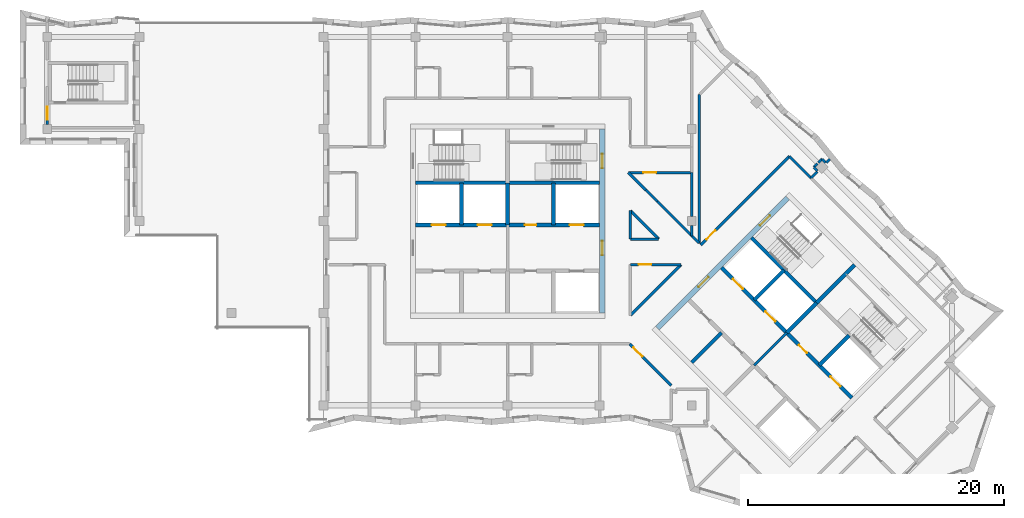
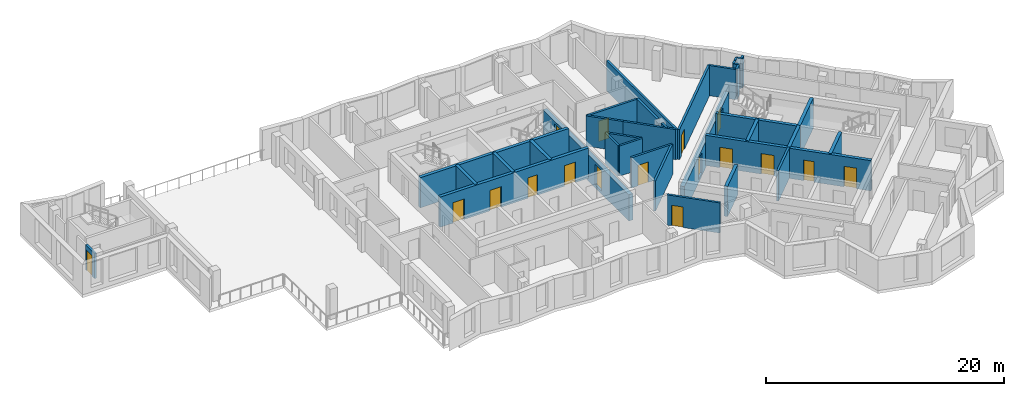
# One storey, part 4 of 12: 38 walls, 17 doors, 17 openings.
"""IFC4 building model written with IfcOpenShell, lengths in metres."""

from ifc_helpers import new_model, si_unit, direction, frame, frame_2d, origin, place, context, subcontext, project, spatial, rectangle, extrude, material, layer, layer_set, type_object, element, fill, save


model = new_model("IFC4")

# Units and contexts
model_context = context("Model", 3, precision=1e-05, world=origin(), true_north=direction((0.0, 1.0)))
body_context = subcontext(model_context, "Body", "Model", "MODEL_VIEW")
ifc_project = project(units=[si_unit("LENGTHUNIT", "METRE"), si_unit("AREAUNIT", "SQUARE_METRE"), si_unit("VOLUMEUNIT", "CUBIC_METRE"), si_unit("PLANEANGLEUNIT", "RADIAN"), si_unit("MASSUNIT", "GRAM", prefix="KILO")], contexts=[model_context])

# Site, building, storey
site_placement = place(None, origin())
site = spatial("IfcSite", under=ifc_project, at=site_placement, CompositionType="ELEMENT")
building_placement = place(site_placement, origin())
building = spatial("IfcBuilding", under=site, at=building_placement, Name="Windrow Commons", CompositionType="ELEMENT")
storey_placement = place(building_placement, frame((0.0, 0.0, 247.2)))
storey = spatial("IfcBuildingStorey", under=building, at=storey_placement, Name="L67", CompositionType="ELEMENT", Elevation=247.2)

# Wall
ifc_material_1 = material(Name="Blockwork partition", Category="masonry")
ifc_layer_1 = layer(ifc_material_1, 0.2)
ifc_layer_set_1 = layer_set([ifc_layer_1], Name="Fire lobby partition 200")
wall_type_1 = type_object("IfcWallType", Name="Fire lobby partition 200", PredefinedType="PARTITIONING", material=ifc_layer_set_1)
wall_1_placement = place(storey_placement, frame((84.079, 46.332, 0.0), z_axis=(0.0, 0.0, 1.0), x_axis=(0.7071067812, 0.7071067812, 0.0)))
element("IfcWall", 1, at=wall_1_placement, inside=storey, type_object=wall_type_1, Name="W-core-lobby-B-L67", PredefinedType="PARTITIONING", context=body_context, shape_type="SweptSolid", body=[
    extrude(rectangle(XDim=3.6, YDim=0.2, at=frame_2d((1.8, 0.0))), origin(), (0.0, 0.0, 1.0), 3.1),
])

# Wall, opening, door
ifc_material_2 = material(Name="Blockwork partition", Category="masonry")
ifc_layer_2 = layer(ifc_material_2, 0.2)
ifc_layer_set_2 = layer_set([ifc_layer_2], Name="IW-CORRIDOR-200")
wall_type_2 = type_object("IfcWallType", Name="IW-CORRIDOR-200", PredefinedType="PARTITIONING", material=ifc_layer_set_2)
wall_2_placement = place(storey_placement, frame((79.9075, 55.7385, 0.0), z_axis=(0.0, 0.0, 1.0), x_axis=(0.7071067812, 0.7071067812, 0.0)))
wall_2 = element("IfcWall", 2, at=wall_2_placement, inside=storey, type_object=wall_type_2, Name="W-L67-W006", PredefinedType="PARTITIONING", context=body_context, shape_type="SweptSolid", body=[
    extrude(rectangle(XDim=9.7977, YDim=0.2, at=frame_2d((4.8989, 0.0))), origin(), (0.0, 0.0, 1.0), 3.1),
])
opening_1_placement = place(wall_2_placement, frame((0.617, 0.0, 0.0)))
opening_1 = element("IfcOpeningElement", 3, at=opening_1_placement, cuts=wall_2, Name="Opening D310F", PredefinedType="OPENING", context=body_context, shape_type="SweptSolid", body=[
    extrude(rectangle(XDim=1.0, YDim=2.1, at=frame_2d((0.5, 1.05))), frame((0.0, 0.11, 0.0), z_axis=(0.0, -1.0, 0.0), x_axis=(1.0, 0.0, 0.0)), (0.0, 0.0, 1.0), 0.22),
])
ifc_material_3 = material(Name="Timber door leaf", Category="wood")
door_type_1 = type_object("IfcDoorType", Name="DT-AMENITY-1000", OperationType="SINGLE_SWING_LEFT", PredefinedType="DOOR", material=ifc_material_3)
door_1_placement = place(opening_1_placement, origin())
door_1 = element("IfcDoor", 4, at=door_1_placement, inside=storey, type_object=door_type_1, Name="D-L67-D019", OperationType="SINGLE_SWING_RIGHT", OverallHeight=2.1, OverallWidth=1.0, PredefinedType="DOOR", context=body_context, shape_type="SweptSolid", body=[
    extrude(rectangle(XDim=1.0, YDim=2.1, at=frame_2d((0.5, 1.05))), frame((0.0, 0.025, 0.0), z_axis=(0.0, -1.0, 0.0), x_axis=(1.0, 0.0, 0.0)), (0.0, 0.0, 1.0), 0.05),
])
fill(opening_1, door_1)

# Wall
wall_3_placement = place(storey_placement, frame((74.4015, 50.2325, 0.0), z_axis=(0.0, 0.0, 1.0), x_axis=(0.7071067812, 0.7071067812, 0.0)))
element("IfcWall", 5, at=wall_3_placement, inside=storey, type_object=wall_type_2, Name="W-L67-W017", PredefinedType="PARTITIONING", context=body_context, shape_type="SweptSolid", body=[
    extrude(rectangle(XDim=5.6088, YDim=0.2, at=frame_2d((2.8044, 0.0))), origin(), (0.0, 0.0, 1.0), 3.1),
])

# Wall, opening, door
wall_4_placement = place(storey_placement, frame((74.246, 61.4, 0.0), z_axis=(0.0, 0.0, 1.0), x_axis=(1.0, 0.0, 0.0)))
wall_4 = element("IfcWall", 6, at=wall_4_placement, inside=storey, type_object=wall_type_2, Name="W-L67-W019", PredefinedType="PARTITIONING", context=body_context, shape_type="SweptSolid", body=[
    extrude(rectangle(XDim=4.954, YDim=0.2, at=frame_2d((2.477, 0.0))), origin(), (0.0, 0.0, 1.0), 3.1),
])
opening_2_placement = place(wall_4_placement, frame((1.1698, 0.0, 0.0)))
opening_2 = element("IfcOpeningElement", 7, at=opening_2_placement, cuts=wall_4, Name="Opening D310F", PredefinedType="OPENING", context=body_context, shape_type="SweptSolid", body=[
    extrude(rectangle(XDim=1.0, YDim=2.1, at=frame_2d((0.5, 1.05))), frame((0.0, 0.11, 0.0), z_axis=(0.0, -1.0, 0.0), x_axis=(1.0, 0.0, 0.0)), (0.0, 0.0, 1.0), 0.22),
])
door_2_placement = place(opening_2_placement, origin())
door_2 = element("IfcDoor", 8, at=door_2_placement, inside=storey, type_object=door_type_1, Name="D-L67-D017", OperationType="SINGLE_SWING_RIGHT", OverallHeight=2.1, OverallWidth=1.0, PredefinedType="DOOR", context=body_context, shape_type="SweptSolid", body=[
    extrude(rectangle(XDim=1.0, YDim=2.1, at=frame_2d((0.5, 1.05))), frame((0.0, 0.025, 0.0), z_axis=(0.0, -1.0, 0.0), x_axis=(1.0, 0.0, 0.0)), (0.0, 0.0, 1.0), 0.05),
])
fill(opening_2, door_2)

wall_5_placement = place(storey_placement, frame((74.3468, 47.9968, 0.0), z_axis=(0.0, 0.0, 1.0), x_axis=(0.7071067812, -0.7071067812, 0.0)))
wall_5 = element("IfcWall", 9, at=wall_5_placement, inside=storey, type_object=wall_type_2, Name="W-L67-W023", PredefinedType="PARTITIONING", context=body_context, shape_type="SweptSolid", body=[
    extrude(rectangle(XDim=4.5962, YDim=0.2, at=frame_2d((2.2981, 0.0))), origin(), (0.0, 0.0, 1.0), 3.1),
])
opening_3_placement = place(wall_5_placement, frame((0.4007, 0.0, 0.0)))
opening_3 = element("IfcOpeningElement", 10, at=opening_3_placement, cuts=wall_5, Name="Opening D310F", PredefinedType="OPENING", context=body_context, shape_type="SweptSolid", body=[
    extrude(rectangle(XDim=1.0, YDim=2.1, at=frame_2d((0.5, 1.05))), frame((0.0, 0.11, 0.0), z_axis=(0.0, -1.0, 0.0), x_axis=(1.0, 0.0, 0.0)), (0.0, 0.0, 1.0), 0.22),
])
door_3_placement = place(opening_3_placement, origin())
door_3 = element("IfcDoor", 11, at=door_3_placement, inside=storey, type_object=door_type_1, Name="D-L67-D006", OperationType="SINGLE_SWING_LEFT", OverallHeight=2.1, OverallWidth=1.0, PredefinedType="DOOR", context=body_context, shape_type="SweptSolid", body=[
    extrude(rectangle(XDim=1.0, YDim=2.1, at=frame_2d((0.5, 1.05))), frame((0.0, 0.025, 0.0), z_axis=(0.0, -1.0, 0.0), x_axis=(1.0, 0.0, 0.0)), (0.0, 0.0, 1.0), 0.05),
])
fill(opening_3, door_3)

# Wall
wall_6_placement = place(storey_placement, frame((76.5129, 59.1309, 0.0), z_axis=(0.0, 0.0, 1.0), x_axis=(0.7073586681, -0.7068548045, 0.0)))
element("IfcWall", 12, at=wall_6_placement, inside=storey, type_object=wall_type_2, Name="W-L67-W024", PredefinedType="PARTITIONING", context=body_context, shape_type="SweptSolid", body=[
    extrude(rectangle(XDim=4.5647, YDim=0.2, at=frame_2d((2.2824, 0.0))), origin(), (0.0, 0.0, 1.0), 3.1),
])

# Wall, opening, door
wall_7_placement = place(storey_placement, frame((74.402, 54.2, 0.0), z_axis=(0.0, 0.0, 1.0), x_axis=(1.0, 0.0, 0.0)))
wall_7 = element("IfcWall", 13, at=wall_7_placement, inside=storey, type_object=wall_type_2, Name="W-L67-W032", PredefinedType="PARTITIONING", context=body_context, shape_type="SweptSolid", body=[
    extrude(rectangle(XDim=3.966, YDim=0.2, at=frame_2d((1.983, 0.0))), origin(), (0.0, 0.0, 1.0), 3.1),
])
opening_4_placement = place(wall_7_placement, frame((0.6487, 0.0, 0.0)))
opening_4 = element("IfcOpeningElement", 14, at=opening_4_placement, cuts=wall_7, Name="Opening D410F", PredefinedType="OPENING", context=body_context, shape_type="SweptSolid", body=[
    extrude(rectangle(XDim=1.0, YDim=2.1, at=frame_2d((0.5, 1.05))), frame((0.0, 0.11, 0.0), z_axis=(0.0, -1.0, 0.0), x_axis=(1.0, 0.0, 0.0)), (0.0, 0.0, 1.0), 0.22),
])
ifc_material_4 = material(Name="Timber door leaf", Category="wood")
door_type_2 = type_object("IfcDoorType", Name="DT-SERVICE-1000", OperationType="SINGLE_SWING_LEFT", PredefinedType="DOOR", material=ifc_material_4)
door_4_placement = place(opening_4_placement, origin())
door_4 = element("IfcDoor", 15, at=door_4_placement, inside=storey, type_object=door_type_2, Name="D-L67-D007", OperationType="SINGLE_SWING_RIGHT", OverallHeight=2.1, OverallWidth=1.0, PredefinedType="DOOR", context=body_context, shape_type="SweptSolid", body=[
    extrude(rectangle(XDim=1.0, YDim=2.1, at=frame_2d((0.5, 1.05))), frame((0.0, 0.025, 0.0), z_axis=(0.0, -1.0, 0.0), x_axis=(1.0, 0.0, 0.0)), (0.0, 0.0, 1.0), 0.05),
])
fill(opening_4, door_4)

# Walls
wall_8_placement = place(storey_placement, frame((74.4055, 58.4175, 0.0), z_axis=(0.0, 0.0, 1.0), x_axis=(0.7071067812, -0.7071067812, 0.0)))
element("IfcWall", 16, at=wall_8_placement, inside=storey, type_object=wall_type_2, Name="W-L67-W039", PredefinedType="PARTITIONING", context=body_context, shape_type="SweptSolid", body=[
    extrude(rectangle(XDim=3.1282, YDim=0.2, at=frame_2d((1.5641, 0.0))), origin(), (0.0, 0.0, 1.0), 3.1),
])
wall_9_placement = place(storey_placement, frame((86.8413, 62.6693, 0.0), z_axis=(0.0, 0.0, 1.0), x_axis=(0.7071067812, -0.7071067812, 0.0)))
element("IfcWall", 17, at=wall_9_placement, inside=storey, type_object=wall_type_2, Name="W-L67-W053", PredefinedType="PARTITIONING", context=body_context, shape_type="SweptSolid", body=[
    extrude(rectangle(XDim=2.3985, YDim=0.2, at=frame_2d((1.1992, 0.0))), origin(), (0.0, 0.0, 1.0), 3.1),
])
for number, where, z_axis, x_axis, name in (
    (18, (74.4, 56.202, 0.0), (0.0, 0.0, 1.0), (0.0, 1.0, 0.0), "W-L67-W054"),
    (19, (74.402, 56.2, 0.0), (0.0, 0.0, 1.0), (1.0, 0.0, 0.0), "W-L67-W055"),
):
    element("IfcWall", number, at=place(storey_placement, frame(where, z_axis=z_axis, x_axis=x_axis)), inside=storey, type_object=wall_type_2, Name=name, PredefinedType="PARTITIONING", context=body_context, shape_type="SweptSolid", body=[
        extrude(rectangle(XDim=2.21, YDim=0.2, at=frame_2d((1.105, 0.0))), origin(), (0.0, 0.0, 1.0), 3.1),
    ])
wall_10_placement = place(storey_placement, frame((74.2426, 61.3946, 0.0), z_axis=(0.0, 0.0, 1.0), x_axis=(0.7071067812, -0.7071067812, 0.0)))
element("IfcWall", 20, at=wall_10_placement, inside=storey, type_object=wall_type_2, Name="W-L67-W068", PredefinedType="PARTITIONING", context=body_context, shape_type="SweptSolid", body=[
    extrude(rectangle(XDim=1.9148, YDim=0.2, at=frame_2d((0.9574, 0.0))), origin(), (0.0, 0.0, 1.0), 3.1),
])

# Wall, opening, door
wall_11_placement = place(storey_placement, frame((28.8, 65.15, 0.0), z_axis=(0.0, 0.0, 1.0), x_axis=(0.0, 1.0, 0.0)))
wall_11 = element("IfcWall", 21, at=wall_11_placement, inside=storey, type_object=wall_type_2, Name="W-L67-W074", PredefinedType="PARTITIONING", context=body_context, shape_type="SweptSolid", body=[
    extrude(rectangle(XDim=1.506, YDim=0.2, at=frame_2d((0.753, 0.0))), origin(), (0.0, 0.0, 1.0), 2.6),
])
opening_5_placement = place(wall_11_placement, frame((0.3857, 0.0, 0.0)))
opening_5 = element("IfcOpeningElement", 22, at=opening_5_placement, cuts=wall_11, Name="Opening D310F", PredefinedType="OPENING", context=body_context, shape_type="SweptSolid", body=[
    extrude(rectangle(XDim=1.0, YDim=2.1, at=frame_2d((0.5, 1.05))), frame((0.0, 0.11, 0.0), z_axis=(0.0, -1.0, 0.0), x_axis=(1.0, 0.0, 0.0)), (0.0, 0.0, 1.0), 0.22),
])
door_5_placement = place(opening_5_placement, origin())
door_5 = element("IfcDoor", 23, at=door_5_placement, inside=storey, type_object=door_type_1, Name="D-L67-D018", OperationType="SINGLE_SWING_RIGHT", OverallHeight=2.1, OverallWidth=1.0, PredefinedType="DOOR", context=body_context, shape_type="SweptSolid", body=[
    extrude(rectangle(XDim=1.0, YDim=2.1, at=frame_2d((0.5, 1.05))), frame((0.0, 0.025, 0.0), z_axis=(0.0, -1.0, 0.0), x_axis=(1.0, 0.0, 0.0)), (0.0, 0.0, 1.0), 0.05),
])
fill(opening_5, door_5)

# Walls
wall_12_placement = place(storey_placement, frame((75.6023, 60.0463, 0.0), z_axis=(0.0, 0.0, 1.0), x_axis=(0.7063318703, -0.7078808437, 0.0)))
element("IfcWall", 24, at=wall_12_placement, inside=storey, type_object=wall_type_2, Name="W-L67-W077", PredefinedType="PARTITIONING", context=body_context, shape_type="SweptSolid", body=[
    extrude(rectangle(XDim=1.2912, YDim=0.2, at=frame_2d((0.6456, 0.0))), origin(), (0.0, 0.0, 1.0), 3.1),
])
ifc_material_5 = material(Name="Blockwork partition", Category="masonry")
ifc_layer_3 = layer(ifc_material_5, 0.2)
ifc_layer_set_3 = layer_set([ifc_layer_3], Name="IW-PARTY-200")
wall_type_3 = type_object("IfcWallType", Name="IW-PARTY-200", PredefinedType="PARTITIONING", material=ifc_layer_set_3)
wall_13_placement = place(storey_placement, frame((79.8, 55.844, 0.0), z_axis=(0.0, 0.0, 1.0), x_axis=(0.0, 1.0, 0.0)))
element("IfcWall", 25, at=wall_13_placement, inside=storey, type_object=wall_type_3, Name="W-L67-W003", PredefinedType="PARTITIONING", context=body_context, shape_type="SweptSolid", body=[
    extrude(rectangle(XDim=11.664, YDim=0.2, at=frame_2d((5.832, 0.0))), origin(), (0.0, 0.0, 1.0), 3.1),
])
wall_14_placement = place(storey_placement, frame((79.2, 57.95, 0.0), z_axis=(0.0, 0.0, 1.0), x_axis=(0.0, 1.0, 0.0)))
element("IfcWall", 26, at=wall_14_placement, inside=storey, type_object=wall_type_3, Name="W-L67-W037", PredefinedType="PARTITIONING", context=body_context, shape_type="SweptSolid", body=[
    extrude(rectangle(XDim=3.45, YDim=0.2, at=frame_2d((1.725, 0.0))), origin(), (0.0, 0.0, 1.0), 3.1),
])
wall_15_placement = place(storey_placement, frame((79.2, 56.444, 0.0), z_axis=(0.0, 0.0, 1.0), x_axis=(0.0, 1.0, 0.0)))
element("IfcWall", 27, at=wall_15_placement, inside=storey, type_object=wall_type_3, Name="W-L67-W082", PredefinedType="PARTITIONING", context=body_context, shape_type="SweptSolid", body=[
    extrude(rectangle(XDim=0.806, YDim=0.2, at=frame_2d((0.403, 0.0))), origin(), (0.0, 0.0, 1.0), 3.1),
])
wall_16_placement = place(storey_placement, frame((88.5335, 60.9705, 0.0), z_axis=(0.0, 0.0, 1.0), x_axis=(0.7071067812, 0.7071067812, 0.0)))
element("IfcWall", 28, at=wall_16_placement, inside=storey, type_object=wall_type_3, Name="W-L67-W086", PredefinedType="PARTITIONING", context=body_context, shape_type="SweptSolid", body=[
    extrude(rectangle(XDim=0.7043, YDim=0.2, at=frame_2d((0.3522, 0.0))), origin(), (0.0, 0.0, 1.0), 3.1),
])
for number, where, z_axis, x_axis, name in (
    (29, (88.7426, 61.8146, 0.0), (0.0, 0.0, 1.0), (0.7071067812, -0.7071067812, 0.0), "W-L67-W099"),
    (30, (89.3861, 62.4581, 0.0), (0.0, 0.0, 1.0), (0.7071067812, -0.7071067812, 0.0), "W-L67-W100"),
    (31, (88.7413, 61.8147, 0.0), (0.0, 0.0, 1.0), (0.7071067812, 0.7071067812, 0.0), "W-L67-W101"),
    (32, (89.0953, 62.1687, 0.0), (0.0, 0.0, 1.0), (0.7071067812, 0.7071067812, 0.0), "W-L67-W102"),
):
    element("IfcWall", number, at=place(storey_placement, frame(where, z_axis=z_axis, x_axis=x_axis)), inside=storey, type_object=wall_type_3, Name=name, PredefinedType="PARTITIONING", context=body_context, shape_type="SweptSolid", body=[
        extrude(rectangle(XDim=0.4101, YDim=0.2, at=frame_2d((0.2051, 0.0))), origin(), (0.0, 0.0, 1.0), 3.1),
    ])
wall_17_placement = place(storey_placement, frame((89.7315, 62.1685, 0.0), z_axis=(0.0, 0.0, 1.0), x_axis=(0.7072357329, 0.7069778059, 0.0)))
element("IfcWall", 33, at=wall_17_placement, inside=storey, type_object=wall_type_3, Name="W-L67-W107", PredefinedType="PARTITIONING", context=body_context, shape_type="SweptSolid", body=[
    extrude(rectangle(XDim=0.3877, YDim=0.2, at=frame_2d((0.1938, 0.0))), origin(), (0.0, 0.0, 1.0), 3.1),
])

# Wall, openings, doors
ifc_material_6 = material(Name="Concrete C40/50", Category="concrete")
ifc_layer_4 = layer(ifc_material_6, 0.4)
ifc_layer_set_4 = layer_set([ifc_layer_4], Name="RC CORE WALL 400 C40/50")
wall_type_4 = type_object("IfcWallType", Name="RC CORE WALL 400 C40/50", PredefinedType="SHEAR", material=ifc_layer_set_4)
wall_18_placement = place(storey_placement, frame((72.2, 50.4, -0.3), z_axis=(0.0, 0.0, 1.0), x_axis=(0.0, 1.0, 0.0)))
wall_18 = element("IfcWall", 34, at=wall_18_placement, inside=storey, type_object=wall_type_4, Name="Core A wall outer-E", PredefinedType="SHEAR", context=body_context, shape_type="SweptSolid", body=[
    extrude(rectangle(XDim=14.4, YDim=0.4, at=frame_2d((7.2, 0.0))), origin(), (0.0, 0.0, 1.0), 2.7),
])
opening_6_placement = place(wall_18_placement, frame((4.55, 0.0, 0.3)))
opening_6 = element("IfcOpeningElement", 35, at=opening_6_placement, cuts=wall_18, Name="Opening D6", PredefinedType="OPENING", context=body_context, shape_type="SweptSolid", body=[
    extrude(rectangle(XDim=1.1, YDim=2.1, at=frame_2d((0.55, 1.05))), frame((0.0, 0.21, 0.0), z_axis=(0.0, -1.0, 0.0), x_axis=(1.0, 0.0, 0.0)), (0.0, 0.0, 1.0), 0.42),
])
opening_7_placement = place(wall_18_placement, frame((11.35, 0.0, 0.3)))
opening_7 = element("IfcOpeningElement", 36, at=opening_7_placement, cuts=wall_18, Name="Opening D7", PredefinedType="OPENING", context=body_context, shape_type="SweptSolid", body=[
    extrude(rectangle(XDim=1.1, YDim=2.1, at=frame_2d((0.55, 1.05))), frame((0.0, 0.21, 0.0), z_axis=(0.0, -1.0, 0.0), x_axis=(1.0, 0.0, 0.0)), (0.0, 0.0, 1.0), 0.42),
])
ifc_material_7 = material(Name="Steel fire door leaf", Category="steel")
door_type_3 = type_object("IfcDoorType", Name="Core lobby door 1100", OperationType="SINGLE_SWING_LEFT", PredefinedType="DOOR", material=ifc_material_7)
door_6_placement = place(opening_6_placement, origin())
door_6 = element("IfcDoor", 37, at=door_6_placement, inside=storey, type_object=door_type_3, Name="Lift lobby door", OperationType="DOUBLE_DOOR_SINGLE_SWING", OverallHeight=2.1, OverallWidth=1.1, PredefinedType="DOOR", context=body_context, shape_type="SweptSolid", body=[
    extrude(rectangle(XDim=1.1, YDim=2.1, at=frame_2d((0.55, 1.05))), frame((0.0, 0.025, 0.0), z_axis=(0.0, -1.0, 0.0), x_axis=(1.0, 0.0, 0.0)), (0.0, 0.0, 1.0), 0.05),
])
fill(opening_6, door_6)
ifc_material_8 = material(Name="Steel fire door leaf", Category="steel")
door_type_4 = type_object("IfcDoorType", Name="Stair door 1100", OperationType="SINGLE_SWING_LEFT", PredefinedType="DOOR", material=ifc_material_8)
door_7_placement = place(opening_7_placement, origin())
door_7 = element("IfcDoor", 38, at=door_7_placement, inside=storey, type_object=door_type_4, Name="Stair door", OperationType="SINGLE_SWING_RIGHT", OverallHeight=2.1, OverallWidth=1.1, PredefinedType="DOOR", context=body_context, shape_type="SweptSolid", body=[
    extrude(rectangle(XDim=1.1, YDim=2.1, at=frame_2d((0.55, 1.05))), frame((0.0, 0.025, 0.0), z_axis=(0.0, -1.0, 0.0), x_axis=(1.0, 0.0, 0.0)), (0.0, 0.0, 1.0), 0.05),
])
fill(opening_7, door_7)

wall_19_placement = place(storey_placement, frame((76.513, 49.2312, -0.3), z_axis=(0.0, 0.0, 1.0), x_axis=(0.7071067812, 0.7071067812, 0.0)))
wall_19 = element("IfcWall", 39, at=wall_19_placement, inside=storey, type_object=wall_type_4, Name="Core B wall outer-W", PredefinedType="SHEAR", context=body_context, shape_type="SweptSolid", body=[
    extrude(rectangle(XDim=14.3999, YDim=0.4, at=frame_2d((7.2, 0.0))), origin(), (0.0, 0.0, 1.0), 2.7),
])
opening_8_placement = place(wall_19_placement, frame((4.55, 0.0, 0.3)))
opening_8 = element("IfcOpeningElement", 40, at=opening_8_placement, cuts=wall_19, Name="Opening D6", PredefinedType="OPENING", context=body_context, shape_type="SweptSolid", body=[
    extrude(rectangle(XDim=1.1, YDim=2.1, at=frame_2d((0.55, 1.05))), frame((0.0, 0.21, 0.0), z_axis=(0.0, -1.0, 0.0), x_axis=(1.0, 0.0, 0.0)), (0.0, 0.0, 1.0), 0.42),
])
opening_9_placement = place(wall_19_placement, frame((11.35, 0.0, 0.3)))
opening_9 = element("IfcOpeningElement", 41, at=opening_9_placement, cuts=wall_19, Name="Opening D7", PredefinedType="OPENING", context=body_context, shape_type="SweptSolid", body=[
    extrude(rectangle(XDim=1.1, YDim=2.1, at=frame_2d((0.55, 1.05))), frame((0.0, 0.21, 0.0), z_axis=(0.0, -1.0, 0.0), x_axis=(1.0, 0.0, 0.0)), (0.0, 0.0, 1.0), 0.42),
])
door_8_placement = place(opening_8_placement, origin())
door_8 = element("IfcDoor", 42, at=door_8_placement, inside=storey, type_object=door_type_3, Name="Lift lobby door", OperationType="DOUBLE_DOOR_SINGLE_SWING", OverallHeight=2.1, OverallWidth=1.1, PredefinedType="DOOR", context=body_context, shape_type="SweptSolid", body=[
    extrude(rectangle(XDim=1.1, YDim=2.1, at=frame_2d((0.55, 1.05))), frame((0.0, 0.025, 0.0), z_axis=(0.0, -1.0, 0.0), x_axis=(1.0, 0.0, 0.0)), (0.0, 0.0, 1.0), 0.05),
])
fill(opening_8, door_8)
door_9_placement = place(opening_9_placement, origin())
door_9 = element("IfcDoor", 43, at=door_9_placement, inside=storey, type_object=door_type_4, Name="Stair door", OperationType="SINGLE_SWING_LEFT", OverallHeight=2.1, OverallWidth=1.1, PredefinedType="DOOR", context=body_context, shape_type="SweptSolid", body=[
    extrude(rectangle(XDim=1.1, YDim=2.1, at=frame_2d((0.55, 1.05))), frame((0.0, 0.025, 0.0), z_axis=(0.0, -1.0, 0.0), x_axis=(1.0, 0.0, 0.0)), (0.0, 0.0, 1.0), 0.05),
])
fill(opening_9, door_9)

# Walls
ifc_material_9 = material(Name="Concrete C40/50", Category="concrete")
ifc_layer_5 = layer(ifc_material_9, 0.3)
ifc_layer_set_5 = layer_set([ifc_layer_5], Name="RC SHAFT WALL 300 C40/50")
wall_type_5 = type_object("IfcWallType", Name="RC SHAFT WALL 300 C40/50", PredefinedType="SOLIDWALL", material=ifc_layer_set_5)
for number, where, z_axis, x_axis, name in (
    (44, (61.2, 57.3, 0.0), (0.0, 0.0, 1.0), (0.0, 1.0, 0.0), "Core A wall shaft-N1"),
    (45, (64.8, 57.3, 0.0), (0.0, 0.0, 1.0), (0.0, 1.0, 0.0), "Core A wall shaft-N2"),
    (46, (68.4, 57.3, 0.0), (0.0, 0.0, 1.0), (0.0, 1.0, 0.0), "Core A wall shaft-N3"),
):
    element("IfcWall", number, at=place(storey_placement, frame(where, z_axis=z_axis, x_axis=x_axis)), inside=storey, type_object=wall_type_5, Name=name, PredefinedType="SOLIDWALL", context=body_context, shape_type="SweptSolid", body=[
        extrude(rectangle(XDim=3.3, YDim=0.3, at=frame_2d((1.65, 0.0))), origin(), (0.0, 0.0, 1.0), 3.1),
    ])

# Wall, openings, doors
wall_20_placement = place(storey_placement, frame((57.6, 57.3, 0.0), z_axis=(0.0, 0.0, 1.0), x_axis=(1.0, 0.0, 0.0)))
wall_20 = element("IfcWall", 47, at=wall_20_placement, inside=storey, type_object=wall_type_5, Name="Core A wall lobby-N", PredefinedType="SOLIDWALL", context=body_context, shape_type="SweptSolid", body=[
    extrude(rectangle(XDim=14.4, YDim=0.3, at=frame_2d((7.2, 0.0))), origin(), (0.0, 0.0, 1.0), 3.1),
])
opening_10_placement = place(wall_20_placement, frame((8.55, 0.0, 0.0)))
opening_10 = element("IfcOpeningElement", 48, at=opening_10_placement, cuts=wall_20, Name="Opening D8", PredefinedType="OPENING", context=body_context, shape_type="SweptSolid", body=[
    extrude(rectangle(XDim=0.9, YDim=2.1, at=frame_2d((0.45, 1.05))), frame((0.0, 0.16, 0.0), z_axis=(0.0, -1.0, 0.0), x_axis=(1.0, 0.0, 0.0)), (0.0, 0.0, 1.0), 0.32),
])
opening_11_placement = place(wall_20_placement, frame((1.25, 0.0, 0.0)))
opening_11 = element("IfcOpeningElement", 49, at=opening_11_placement, cuts=wall_20, Name="Opening LD", PredefinedType="OPENING", context=body_context, shape_type="SweptSolid", body=[
    extrude(rectangle(XDim=1.1, YDim=2.1, at=frame_2d((0.55, 1.05))), frame((0.0, 0.16, 0.0), z_axis=(0.0, -1.0, 0.0), x_axis=(1.0, 0.0, 0.0)), (0.0, 0.0, 1.0), 0.32),
])
opening_12_placement = place(wall_20_placement, frame((4.85, 0.0, 0.0)))
opening_12 = element("IfcOpeningElement", 50, at=opening_12_placement, cuts=wall_20, Name="Opening LD", PredefinedType="OPENING", context=body_context, shape_type="SweptSolid", body=[
    extrude(rectangle(XDim=1.1, YDim=2.1, at=frame_2d((0.55, 1.05))), frame((0.0, 0.16, 0.0), z_axis=(0.0, -1.0, 0.0), x_axis=(1.0, 0.0, 0.0)), (0.0, 0.0, 1.0), 0.32),
])
opening_13_placement = place(wall_20_placement, frame((12.05, 0.0, 0.0)))
opening_13 = element("IfcOpeningElement", 51, at=opening_13_placement, cuts=wall_20, Name="Opening LD", PredefinedType="OPENING", context=body_context, shape_type="SweptSolid", body=[
    extrude(rectangle(XDim=1.1, YDim=2.1, at=frame_2d((0.55, 1.05))), frame((0.0, 0.16, 0.0), z_axis=(0.0, -1.0, 0.0), x_axis=(1.0, 0.0, 0.0)), (0.0, 0.0, 1.0), 0.32),
])
ifc_material_10 = material(Name="Steel fire door leaf", Category="steel")
door_type_5 = type_object("IfcDoorType", Name="Core store door 900", OperationType="SINGLE_SWING_LEFT", PredefinedType="DOOR", material=ifc_material_10)
door_10_placement = place(opening_10_placement, origin())
door_10 = element("IfcDoor", 52, at=door_10_placement, inside=storey, type_object=door_type_5, Name="Store door", OperationType="SINGLE_SWING_LEFT", OverallHeight=2.1, OverallWidth=0.9, PredefinedType="DOOR", context=body_context, shape_type="SweptSolid", body=[
    extrude(rectangle(XDim=0.9, YDim=2.1, at=frame_2d((0.45, 1.05))), frame((0.0, 0.025, 0.0), z_axis=(0.0, -1.0, 0.0), x_axis=(1.0, 0.0, 0.0)), (0.0, 0.0, 1.0), 0.05),
])
fill(opening_10, door_10)
ifc_material_11 = material(Name="Stainless steel door leaf", Category="steel")
door_type_6 = type_object("IfcDoorType", Name="Lift landing door 1100", OperationType="SLIDING_TO_LEFT", PredefinedType="DOOR", material=ifc_material_11)
door_11_placement = place(opening_11_placement, origin())
door_11 = element("IfcDoor", 53, at=door_11_placement, inside=storey, type_object=door_type_6, Name="Lift landing door", OperationType="SLIDING_TO_LEFT", OverallHeight=2.1, OverallWidth=1.1, PredefinedType="DOOR", context=body_context, shape_type="SweptSolid", body=[
    extrude(rectangle(XDim=1.1, YDim=2.1, at=frame_2d((0.55, 1.05))), frame((0.0, 0.025, 0.0), z_axis=(0.0, -1.0, 0.0), x_axis=(1.0, 0.0, 0.0)), (0.0, 0.0, 1.0), 0.05),
])
fill(opening_11, door_11)
door_12_placement = place(opening_12_placement, origin())
door_12 = element("IfcDoor", 54, at=door_12_placement, inside=storey, type_object=door_type_6, Name="Lift landing door", OperationType="SLIDING_TO_RIGHT", OverallHeight=2.1, OverallWidth=1.1, PredefinedType="DOOR", context=body_context, shape_type="SweptSolid", body=[
    extrude(rectangle(XDim=1.1, YDim=2.1, at=frame_2d((0.55, 1.05))), frame((0.0, 0.025, 0.0), z_axis=(0.0, -1.0, 0.0), x_axis=(1.0, 0.0, 0.0)), (0.0, 0.0, 1.0), 0.05),
])
fill(opening_12, door_12)
door_13_placement = place(opening_13_placement, origin())
door_13 = element("IfcDoor", 55, at=door_13_placement, inside=storey, type_object=door_type_6, Name="Lift landing door", OperationType="SLIDING_TO_RIGHT", OverallHeight=2.1, OverallWidth=1.1, PredefinedType="DOOR", context=body_context, shape_type="SweptSolid", body=[
    extrude(rectangle(XDim=1.1, YDim=2.1, at=frame_2d((0.55, 1.05))), frame((0.0, 0.025, 0.0), z_axis=(0.0, -1.0, 0.0), x_axis=(1.0, 0.0, 0.0)), (0.0, 0.0, 1.0), 0.05),
])
fill(opening_13, door_13)

# Walls
for number, where, z_axis, x_axis, name in (
    (56, (57.6, 60.6, 0.0), (0.0, 0.0, 1.0), (1.0, 0.0, 0.0), "Core A wall stair-S"),
    (57, (64.8, 60.6, 0.0), (0.0, 0.0, 1.0), (1.0, 0.0, 0.0), "Core A wall stair-S2"),
):
    element("IfcWall", number, at=place(storey_placement, frame(where, z_axis=z_axis, x_axis=x_axis)), inside=storey, type_object=wall_type_5, Name=name, PredefinedType="SOLIDWALL", context=body_context, shape_type="SweptSolid", body=[
        extrude(rectangle(XDim=7.2, YDim=0.3, at=frame_2d((3.6, 0.0))), origin(), (0.0, 0.0, 1.0), 3.1),
    ])
for number, where, z_axis, x_axis, name in (
    (58, (79.2, 46.5442, 0.0), (0.0, 0.0, 1.0), (0.7071219326, 0.7070916295, 0.0), "Core B wall shaft-S1"),
    (59, (84.079, 51.4232, 0.0), (0.0, 0.0, 1.0), (0.7071219326, 0.7070916295, 0.0), "Core B wall shaft-N1"),
):
    element("IfcWall", number, at=place(storey_placement, frame(where, z_axis=z_axis, x_axis=x_axis)), inside=storey, type_object=wall_type_5, Name=name, PredefinedType="SOLIDWALL", context=body_context, shape_type="SweptSolid", body=[
        extrude(rectangle(XDim=3.3, YDim=0.3, at=frame_2d((1.65, 0.0))), origin(), (0.0, 0.0, 1.0), 3.1),
    ])
for number, where, z_axis, x_axis, name in (
    (60, (86.6246, 48.8776, 0.0), (0.0, 0.0, 1.0), (0.7071067812, 0.7071067812, 0.0), "Core B wall shaft-N2"),
    (61, (89.1702, 46.332, 0.0), (0.0, 0.0, 1.0), (0.7071067812, 0.7071067812, 0.0), "Core B wall shaft-N3"),
):
    element("IfcWall", number, at=place(storey_placement, frame(where, z_axis=z_axis, x_axis=x_axis)), inside=storey, type_object=wall_type_5, Name=name, PredefinedType="SOLIDWALL", context=body_context, shape_type="SweptSolid", body=[
        extrude(rectangle(XDim=3.3001, YDim=0.3, at=frame_2d((1.6501, 0.0))), origin(), (0.0, 0.0, 1.0), 3.1),
    ])

# Wall, openings, doors
wall_21_placement = place(storey_placement, frame((81.5335, 53.9688, 0.0), z_axis=(0.0, 0.0, 1.0), x_axis=(0.707103309, -0.7071102534, 0.0)))
wall_21 = element("IfcWall", 62, at=wall_21_placement, inside=storey, type_object=wall_type_5, Name="Core B wall lobby-N", PredefinedType="SOLIDWALL", context=body_context, shape_type="SweptSolid", body=[
    extrude(rectangle(XDim=14.4, YDim=0.3, at=frame_2d((7.2, 0.0))), origin(), (0.0, 0.0, 1.0), 3.1),
])
opening_14_placement = place(wall_21_placement, frame((8.55, 0.0, 0.0)))
opening_14 = element("IfcOpeningElement", 63, at=opening_14_placement, cuts=wall_21, Name="Opening D8", PredefinedType="OPENING", context=body_context, shape_type="SweptSolid", body=[
    extrude(rectangle(XDim=0.9, YDim=2.1, at=frame_2d((0.45, 1.05))), frame((0.0, 0.16, 0.0), z_axis=(0.0, -1.0, 0.0), x_axis=(1.0, 0.0, 0.0)), (0.0, 0.0, 1.0), 0.32),
])
opening_15_placement = place(wall_21_placement, frame((1.25, 0.0, 0.0)))
opening_15 = element("IfcOpeningElement", 64, at=opening_15_placement, cuts=wall_21, Name="Opening LD", PredefinedType="OPENING", context=body_context, shape_type="SweptSolid", body=[
    extrude(rectangle(XDim=1.1, YDim=2.1, at=frame_2d((0.55, 1.05))), frame((0.0, 0.16, 0.0), z_axis=(0.0, -1.0, 0.0), x_axis=(1.0, 0.0, 0.0)), (0.0, 0.0, 1.0), 0.32),
])
opening_16_placement = place(wall_21_placement, frame((4.85, 0.0, 0.0)))
opening_16 = element("IfcOpeningElement", 65, at=opening_16_placement, cuts=wall_21, Name="Opening LD", PredefinedType="OPENING", context=body_context, shape_type="SweptSolid", body=[
    extrude(rectangle(XDim=1.1, YDim=2.1, at=frame_2d((0.55, 1.05))), frame((0.0, 0.16, 0.0), z_axis=(0.0, -1.0, 0.0), x_axis=(1.0, 0.0, 0.0)), (0.0, 0.0, 1.0), 0.32),
])
opening_17_placement = place(wall_21_placement, frame((12.05, 0.0, 0.0)))
opening_17 = element("IfcOpeningElement", 66, at=opening_17_placement, cuts=wall_21, Name="Opening LD", PredefinedType="OPENING", context=body_context, shape_type="SweptSolid", body=[
    extrude(rectangle(XDim=1.1, YDim=2.1, at=frame_2d((0.55, 1.05))), frame((0.0, 0.16, 0.0), z_axis=(0.0, -1.0, 0.0), x_axis=(1.0, 0.0, 0.0)), (0.0, 0.0, 1.0), 0.32),
])
door_14_placement = place(opening_14_placement, origin())
door_14 = element("IfcDoor", 67, at=door_14_placement, inside=storey, type_object=door_type_5, Name="Store door", OperationType="SINGLE_SWING_LEFT", OverallHeight=2.1, OverallWidth=0.9, PredefinedType="DOOR", context=body_context, shape_type="SweptSolid", body=[
    extrude(rectangle(XDim=0.9, YDim=2.1, at=frame_2d((0.45, 1.05))), frame((0.0, 0.025, 0.0), z_axis=(0.0, -1.0, 0.0), x_axis=(1.0, 0.0, 0.0)), (0.0, 0.0, 1.0), 0.05),
])
fill(opening_14, door_14)
door_15_placement = place(opening_15_placement, origin())
door_15 = element("IfcDoor", 68, at=door_15_placement, inside=storey, type_object=door_type_6, Name="Lift landing door", OperationType="SLIDING_TO_LEFT", OverallHeight=2.1, OverallWidth=1.1, PredefinedType="DOOR", context=body_context, shape_type="SweptSolid", body=[
    extrude(rectangle(XDim=1.1, YDim=2.1, at=frame_2d((0.55, 1.05))), frame((0.0, 0.025, 0.0), z_axis=(0.0, -1.0, 0.0), x_axis=(1.0, 0.0, 0.0)), (0.0, 0.0, 1.0), 0.05),
])
fill(opening_15, door_15)
door_16_placement = place(opening_16_placement, origin())
door_16 = element("IfcDoor", 69, at=door_16_placement, inside=storey, type_object=door_type_6, Name="Lift landing door", OperationType="SLIDING_TO_RIGHT", OverallHeight=2.1, OverallWidth=1.1, PredefinedType="DOOR", context=body_context, shape_type="SweptSolid", body=[
    extrude(rectangle(XDim=1.1, YDim=2.1, at=frame_2d((0.55, 1.05))), frame((0.0, 0.025, 0.0), z_axis=(0.0, -1.0, 0.0), x_axis=(1.0, 0.0, 0.0)), (0.0, 0.0, 1.0), 0.05),
])
fill(opening_16, door_16)
door_17_placement = place(opening_17_placement, origin())
door_17 = element("IfcDoor", 70, at=door_17_placement, inside=storey, type_object=door_type_6, Name="Lift landing door", OperationType="SLIDING_TO_RIGHT", OverallHeight=2.1, OverallWidth=1.1, PredefinedType="DOOR", context=body_context, shape_type="SweptSolid", body=[
    extrude(rectangle(XDim=1.1, YDim=2.1, at=frame_2d((0.55, 1.05))), frame((0.0, 0.025, 0.0), z_axis=(0.0, -1.0, 0.0), x_axis=(1.0, 0.0, 0.0)), (0.0, 0.0, 1.0), 0.05),
])
fill(opening_17, door_17)

# Walls
wall_22_placement = place(storey_placement, frame((83.8669, 56.3022, 0.0), z_axis=(0.0, 0.0, 1.0), x_axis=(0.7071137256, -0.7070998367, 0.0)))
element("IfcWall", 71, at=wall_22_placement, inside=storey, type_object=wall_type_5, Name="Core B wall stair-S", PredefinedType="SOLIDWALL", context=body_context, shape_type="SweptSolid", body=[
    extrude(rectangle(XDim=7.2, YDim=0.3, at=frame_2d((3.6, 0.0))), origin(), (0.0, 0.0, 1.0), 3.1),
])
wall_23_placement = place(storey_placement, frame((88.9581, 51.2111, 0.0), z_axis=(0.0, 0.0, 1.0), x_axis=(0.7071067812, 0.7071067812, 0.0)))
element("IfcWall", 72, at=wall_23_placement, inside=storey, type_object=wall_type_5, Name="Core B wall stair-mid", PredefinedType="SOLIDWALL", context=body_context, shape_type="SweptSolid", body=[
    extrude(rectangle(XDim=4.1999, YDim=0.3, at=frame_2d((2.1, 0.0))), origin(), (0.0, 0.0, 1.0), 3.1),
])

save(model, "model.ifc")
